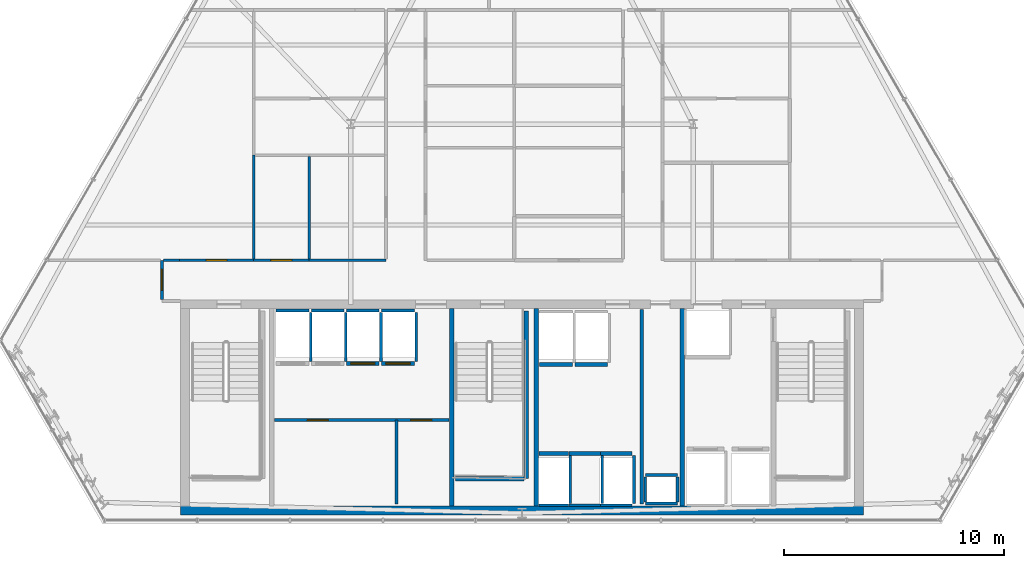
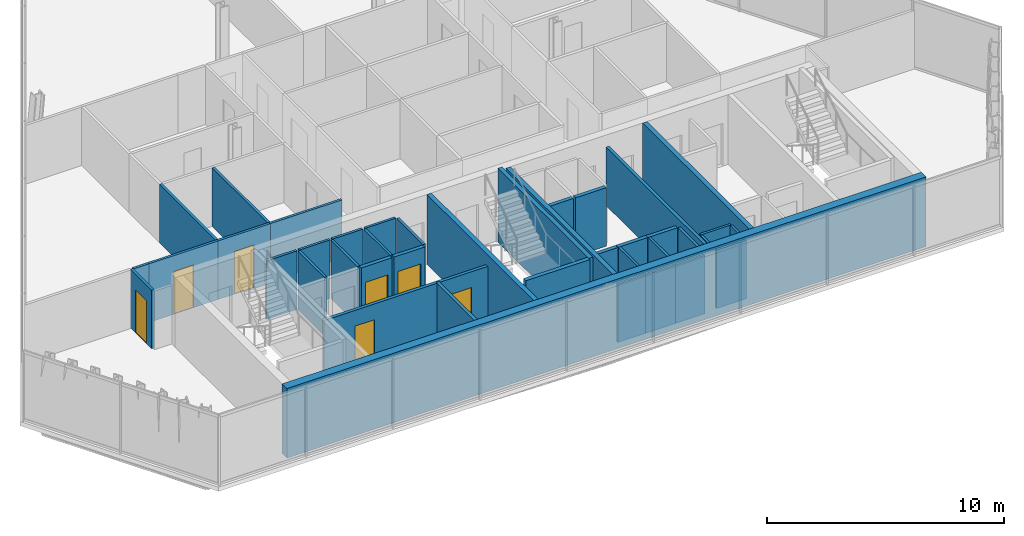
# One storey, part 27 of 33: 41 walls, 7 doors, 7 openings.
"""IFC4 building model written with IfcOpenShell, lengths in metres."""

from ifc_helpers import new_model, si_unit, direction, frame, frame_2d, origin, place, context, subcontext, project, spatial, rectangle, extrude, material, layer, layer_set, type_object, element, fill, save


model = new_model("IFC4")

# Units and contexts
model_context = context("Model", 3, precision=1e-05, world=origin(), true_north=direction((0.0, 1.0)))
body_context = subcontext(model_context, "Body", "Model", "MODEL_VIEW")
ifc_project = project(units=[si_unit("LENGTHUNIT", "METRE"), si_unit("AREAUNIT", "SQUARE_METRE"), si_unit("VOLUMEUNIT", "CUBIC_METRE"), si_unit("PLANEANGLEUNIT", "RADIAN"), si_unit("MASSUNIT", "GRAM", prefix="KILO")], contexts=[model_context])

# Site, building, storey
site_placement = place(None, origin())
site = spatial("IfcSite", under=ifc_project, at=site_placement, CompositionType="ELEMENT")
building_placement = place(site_placement, origin())
building = spatial("IfcBuilding", under=site, at=building_placement, Name="Ndaravel Arena Tower", CompositionType="ELEMENT")
storey_placement = place(building_placement, frame((0.0, 0.0, 187.800048828125)))
storey = spatial("IfcBuildingStorey", under=building, at=storey_placement, Name="L45", CompositionType="ELEMENT", Elevation=187.800048828125)

# Wall
ifc_material_1 = material(Name="Gypsum", Category="gypsum")
ifc_layer_1 = layer(ifc_material_1, 0.14990234375)
ifc_layer_set_1 = layer_set([ifc_layer_1], Name="Gypsum")
wall_type_1 = type_object("IfcWallType", Name="WALL-COMP-150", PredefinedType="PARTITIONING", material=ifc_layer_set_1)
wall_1_placement = place(storey_placement, frame((47.449951171875, 5.89990234375, 0.0), z_axis=(0.0, 0.0, 1.0), x_axis=(0.0, 1.0, 0.0)))
element("IfcWall", 1, at=wall_1_placement, inside=storey, type_object=wall_type_1, Name="L45 Core Riser Bay Partition", PredefinedType="PARTITIONING", context=body_context, shape_type="SweptSolid", body=[
    extrude(rectangle(XDim=8.85009765625, YDim=0.14990234375, at=frame_2d((4.425048828125, 0.0))), origin(), (0.0, 0.0, 1.0), 3.010498046875),
])

# Wall, openings, doors
wall_2_placement = place(storey_placement, frame((30.719970703125, 9.719970703125, 0.0), z_axis=(0.0, 0.0, 1.0), x_axis=(1.0, 0.0, 0.0)))
wall_2 = element("IfcWall", 2, at=wall_2_placement, inside=storey, type_object=wall_type_1, Name="L45 Reclaimed Shaft Partition", PredefinedType="PARTITIONING", context=body_context, shape_type="SweptSolid", body=[
    extrude(rectangle(XDim=7.9599609375, YDim=0.14990234375, at=frame_2d((3.97998046875, 0.0))), origin(), (0.0, 0.0, 1.0), 3.010498046875),
])
opening_1_placement = place(wall_2_placement, frame((1.5, 0.0, 0.0)))
opening_1 = element("IfcOpeningElement", 3, at=opening_1_placement, cuts=wall_2, Name="Opening FD-03", PredefinedType="OPENING", context=body_context, shape_type="SweptSolid", body=[
    extrude(rectangle(XDim=0.949951171875, YDim=2.199951171875, at=frame_2d((0.47509765625, 1.10009765625))), frame((0.0, 0.074951171875, 0.0), z_axis=(0.0, -1.0, 0.0), x_axis=(1.0, 0.0, 0.0)), (0.0, 0.0, 1.0), 0.14990234375),
])
opening_2_placement = place(wall_2_placement, frame((6.2099609375, 0.0, 0.0)))
opening_2 = element("IfcOpeningElement", 4, at=opening_2_placement, cuts=wall_2, Name="Opening FD-03", PredefinedType="OPENING", context=body_context, shape_type="SweptSolid", body=[
    extrude(rectangle(XDim=0.949951171875, YDim=2.199951171875, at=frame_2d((0.47509765625, 1.10009765625))), frame((0.0, 0.074951171875, 0.0), z_axis=(0.0, -1.0, 0.0), x_axis=(1.0, 0.0, 0.0)), (0.0, 0.0, 1.0), 0.14990234375),
])
ifc_material_2 = material(Name="Steel S355", Category="steel")
door_type_1 = type_object("IfcDoorType", Name="DT-11-CORE-950", OperationType="SINGLE_SWING_LEFT", PredefinedType="DOOR", material=ifc_material_2)
door_1_placement = place(opening_1_placement, origin())
door_1 = element("IfcDoor", 5, at=door_1_placement, inside=storey, type_object=door_type_1, Name="L45 ICT Server Room Door", OperationType="SINGLE_SWING_LEFT", OverallHeight=2.199951171875, OverallWidth=0.949951171875, PredefinedType="DOOR", context=body_context, shape_type="SweptSolid", body=[
    extrude(rectangle(XDim=0.949951171875, YDim=2.199951171875, at=frame_2d((0.47509765625, 1.10009765625))), frame((0.0, 0.02490234375, 0.0), z_axis=(0.0, -1.0, 0.0), x_axis=(1.0, 0.0, 0.0)), (0.0, 0.0, 1.0), 0.050048828125),
])
fill(opening_1, door_1)
door_2_placement = place(opening_2_placement, origin())
door_2 = element("IfcDoor", 6, at=door_2_placement, inside=storey, type_object=door_type_1, Name="L45 Core Archive Room Door", OperationType="SINGLE_SWING_RIGHT", OverallHeight=2.199951171875, OverallWidth=0.949951171875, PredefinedType="DOOR", context=body_context, shape_type="SweptSolid", body=[
    extrude(rectangle(XDim=0.949951171875, YDim=2.199951171875, at=frame_2d((0.47509765625, 1.10009765625))), frame((0.0, 0.02490234375, 0.0), z_axis=(0.0, -1.0, 0.0), x_axis=(1.0, 0.0, 0.0)), (0.0, 0.0, 1.0), 0.050048828125),
])
fill(opening_2, door_2)

# Walls
wall_3_placement = place(storey_placement, frame((36.280029296875, 5.89990234375, 0.0), z_axis=(0.0, 0.0, 1.0), x_axis=(0.0, 1.0, 0.0)))
element("IfcWall", 7, at=wall_3_placement, inside=storey, type_object=wall_type_1, Name="L45 Reclaimed Bay Divider", PredefinedType="PARTITIONING", context=body_context, shape_type="SweptSolid", body=[
    extrude(rectangle(XDim=3.820068359375, YDim=0.14990234375, at=frame_2d((1.91015625, 0.0))), origin(), (0.0, 0.0, 1.0), 3.010498046875),
])
ifc_material_3 = material(Name="Concrete C50/60", Category="concrete")
ifc_layer_2 = layer(ifc_material_3, 0.219970703125)
ifc_layer_set_2 = layer_set([ifc_layer_2], Name="Concrete C50/60")
wall_type_2 = type_object("IfcWallType", Name="WALL-CORE-220", PredefinedType="SOLIDWALL", material=ifc_layer_set_2)
for number, where, z_axis, x_axis, name in (
    (8, (38.800048828125, 5.800048828125, 0.0), (0.0, 0.0, 1.0), (0.0, 1.0, 0.0), "L45 Core Web Shear Wall 2"),
    (9, (42.64990234375, 5.800048828125, 0.0), (0.0, 0.0, 1.0), (0.0, 1.0, 0.0), "L45 Core Web Shear Wall 3"),
    (10, (49.300048828125, 5.800048828125, 0.0), (0.0, 0.0, 1.0), (0.0, 1.0, 0.0), "L45 Core Web Shear Wall 4"),
):
    element("IfcWall", number, at=place(storey_placement, frame(where, z_axis=z_axis, x_axis=x_axis)), inside=storey, type_object=wall_type_2, Name=name, PredefinedType="SOLIDWALL", context=body_context, shape_type="SweptSolid", body=[
        extrude(rectangle(XDim=9.0, YDim=0.219970703125, at=frame_2d((4.5, 0.0))), origin(), (0.0, 0.0, 1.0), 3.579833984375),
    ])
ifc_material_4 = material(Name="Concrete C50/60", Category="concrete")
ifc_layer_3 = layer(ifc_material_4, 0.39990234375)
ifc_layer_set_3 = layer_set([ifc_layer_3], Name="Concrete C50/60")
wall_type_3 = type_object("IfcWallType", Name="WALL-CORE-400", PredefinedType="SOLIDWALL", material=ifc_layer_set_3)
wall_4_placement = place(storey_placement, frame((26.449951171875, 5.60009765625, 0.0), z_axis=(0.0, 0.0, 1.0), x_axis=(1.0, 0.0, 0.0)))
element("IfcWall", 11, at=wall_4_placement, inside=storey, type_object=wall_type_3, Name="L45 Core South Shear Wall", PredefinedType="SOLIDWALL", context=body_context, shape_type="SweptSolid", body=[
    extrude(rectangle(XDim=31.10009765625, YDim=0.39990234375, at=frame_2d((15.550048828125, 0.0))), origin(), (0.0, 0.0, 1.0), 3.579833984375),
])

# Wall, opening, door
ifc_material_5 = material(Name="Gypsum", Category="gypsum")
ifc_layer_4 = layer(ifc_material_5, 0.125)
ifc_layer_set_4 = layer_set([ifc_layer_4], Name="Gypsum")
wall_type_4 = type_object("IfcWallType", Name="WALL-PART-125", PredefinedType="PARTITIONING", material=ifc_layer_set_4)
wall_5_placement = place(storey_placement, frame((25.60009765625, 15.215087890625, 0.0), z_axis=(0.0, 0.0, 1.0), x_axis=(0.0, 1.0, 0.0)))
wall_5 = element("IfcWall", 12, at=wall_5_placement, inside=storey, type_object=wall_type_4, Name="L45 Interior Partition 004", PredefinedType="PARTITIONING", context=body_context, shape_type="SweptSolid", body=[
    extrude(rectangle(XDim=1.784912109375, YDim=0.125, at=frame_2d((0.892578125, 0.0))), origin(), (0.0, 0.0, 1.0), 3.010498046875),
])
opening_3_placement = place(wall_5_placement, frame((0.41748046875, 0.0, 0.0)))
opening_3 = element("IfcOpeningElement", 13, at=opening_3_placement, cuts=wall_5, Name="Opening ID-01", PredefinedType="OPENING", context=body_context, shape_type="SweptSolid", body=[
    extrude(rectangle(XDim=0.949951171875, YDim=2.199951171875, at=frame_2d((0.47509765625, 1.10009765625))), frame((0.0, 0.0625, 0.0), z_axis=(0.0, -1.0, 0.0), x_axis=(1.0, 0.0, 0.0)), (0.0, 0.0, 1.0), 0.125),
])
ifc_material_6 = material(Name="Timber", Category="wood")
door_type_2 = type_object("IfcDoorType", Name="DT-03-OFFICE-950", OperationType="SINGLE_SWING_LEFT", PredefinedType="DOOR", material=ifc_material_6)
door_3_placement = place(opening_3_placement, origin())
door_3 = element("IfcDoor", 14, at=door_3_placement, inside=storey, type_object=door_type_2, Name="L45 Executive Boardroom Door", OperationType="SINGLE_SWING_RIGHT", OverallHeight=2.199951171875, OverallWidth=0.949951171875, PredefinedType="DOOR", context=body_context, shape_type="SweptSolid", body=[
    extrude(rectangle(XDim=0.949951171875, YDim=2.199951171875, at=frame_2d((0.47509765625, 1.10009765625))), frame((0.0, 0.02490234375, 0.0), z_axis=(0.0, -1.0, 0.0), x_axis=(1.0, 0.0, 0.0)), (0.0, 0.0, 1.0), 0.050048828125),
])
fill(opening_3, door_3)

# Wall
wall_6_placement = place(storey_placement, frame((25.6650390625, 17.0, 0.0), z_axis=(0.0, 0.0, 1.0), x_axis=(1.0, 0.0, 0.0)))
element("IfcWall", 15, at=wall_6_placement, inside=storey, type_object=wall_type_4, Name="L45 Interior Partition 005", PredefinedType="PARTITIONING", context=body_context, shape_type="SweptSolid", body=[
    extrude(rectangle(XDim=0.73486328125, YDim=0.125, at=frame_2d((0.367431640625, 0.0))), origin(), (0.0, 0.0, 1.0), 3.010498046875),
])

# Wall, opening, door
wall_7_placement = place(storey_placement, frame((26.39990234375, 17.0, 0.0), z_axis=(0.0, 0.0, 1.0), x_axis=(1.0, 0.0, 0.0)))
wall_7 = element("IfcWall", 16, at=wall_7_placement, inside=storey, type_object=wall_type_4, Name="L45 Interior Partition 006", PredefinedType="PARTITIONING", context=body_context, shape_type="SweptSolid", body=[
    extrude(rectangle(XDim=3.376220703125, YDim=0.125, at=frame_2d((1.68798828125, 0.0))), origin(), (0.0, 0.0, 1.0), 3.010498046875),
])
opening_4_placement = place(wall_7_placement, frame((1.213134765625, 0.0, 0.0)))
opening_4 = element("IfcOpeningElement", 17, at=opening_4_placement, cuts=wall_7, Name="Opening ID-01", PredefinedType="OPENING", context=body_context, shape_type="SweptSolid", body=[
    extrude(rectangle(XDim=0.949951171875, YDim=2.199951171875, at=frame_2d((0.47509765625, 1.10009765625))), frame((0.0, 0.0625, 0.0), z_axis=(0.0, -1.0, 0.0), x_axis=(1.0, 0.0, 0.0)), (0.0, 0.0, 1.0), 0.125),
])
door_4_placement = place(opening_4_placement, origin())
door_4 = element("IfcDoor", 18, at=door_4_placement, inside=storey, type_object=door_type_2, Name="L45 Crew Support Room 4 Door", OperationType="SINGLE_SWING_LEFT", OverallHeight=2.199951171875, OverallWidth=0.949951171875, PredefinedType="DOOR", context=body_context, shape_type="SweptSolid", body=[
    extrude(rectangle(XDim=0.949951171875, YDim=2.199951171875, at=frame_2d((0.47509765625, 1.10009765625))), frame((0.0, 0.02490234375, 0.0), z_axis=(0.0, -1.0, 0.0), x_axis=(1.0, 0.0, 0.0)), (0.0, 0.0, 1.0), 0.050048828125),
])
fill(opening_4, door_4)

wall_8_placement = place(storey_placement, frame((29.776123046875, 17.0, 0.0), z_axis=(0.0, 0.0, 1.0), x_axis=(1.0, 0.0, 0.0)))
wall_8 = element("IfcWall", 19, at=wall_8_placement, inside=storey, type_object=wall_type_4, Name="L45 Interior Partition 007", PredefinedType="PARTITIONING", context=body_context, shape_type="SweptSolid", body=[
    extrude(rectangle(XDim=2.530029296875, YDim=0.125, at=frame_2d((1.26513671875, 0.0))), origin(), (0.0, 0.0, 1.0), 3.010498046875),
])
opening_5_placement = place(wall_8_placement, frame((0.7900390625, 0.0, 0.0)))
opening_5 = element("IfcOpeningElement", 20, at=opening_5_placement, cuts=wall_8, Name="Opening ID-01", PredefinedType="OPENING", context=body_context, shape_type="SweptSolid", body=[
    extrude(rectangle(XDim=0.949951171875, YDim=2.199951171875, at=frame_2d((0.47509765625, 1.10009765625))), frame((0.0, 0.0625, 0.0), z_axis=(0.0, -1.0, 0.0), x_axis=(1.0, 0.0, 0.0)), (0.0, 0.0, 1.0), 0.125),
])
door_5_placement = place(opening_5_placement, origin())
door_5 = element("IfcDoor", 21, at=door_5_placement, inside=storey, type_object=door_type_2, Name="L45 Project Seminar Room 3 Door", OperationType="SINGLE_SWING_LEFT", OverallHeight=2.199951171875, OverallWidth=0.949951171875, PredefinedType="DOOR", context=body_context, shape_type="SweptSolid", body=[
    extrude(rectangle(XDim=0.949951171875, YDim=2.199951171875, at=frame_2d((0.47509765625, 1.10009765625))), frame((0.0, 0.02490234375, 0.0), z_axis=(0.0, -1.0, 0.0), x_axis=(1.0, 0.0, 0.0)), (0.0, 0.0, 1.0), 0.050048828125),
])
fill(opening_5, door_5)

# Walls
wall_9_placement = place(storey_placement, frame((32.30615234375, 17.0, 0.0), z_axis=(0.0, 0.0, 1.0), x_axis=(1.0, 0.0, 0.0)))
element("IfcWall", 22, at=wall_9_placement, inside=storey, type_object=wall_type_4, Name="L45 Interior Partition 008", PredefinedType="PARTITIONING", context=body_context, shape_type="SweptSolid", body=[
    extrude(rectangle(XDim=3.493896484375, YDim=0.125, at=frame_2d((1.7470703125, 0.0))), origin(), (0.0, 0.0, 1.0), 3.010498046875),
])
wall_10_placement = place(storey_placement, frame((29.776123046875, 17.06494140625, 0.0), z_axis=(0.0, 0.0, 1.0), x_axis=(0.0, 1.0, 0.0)))
element("IfcWall", 23, at=wall_10_placement, inside=storey, type_object=wall_type_4, Name="L45 Interior Partition 037", PredefinedType="PARTITIONING", context=body_context, shape_type="SweptSolid", body=[
    extrude(rectangle(XDim=4.72314453125, YDim=0.125, at=frame_2d((2.361572265625, 0.0))), origin(), (0.0, 0.0, 1.0), 3.010498046875),
])
wall_11_placement = place(storey_placement, frame((32.30615234375, 21.722900390625, 0.0), z_axis=(0.0, 0.0, 1.0), x_axis=(0.0, -1.0, 0.0)))
element("IfcWall", 24, at=wall_11_placement, inside=storey, type_object=wall_type_4, Name="L45 Interior Partition 039", PredefinedType="PARTITIONING", context=body_context, shape_type="SweptSolid", body=[
    extrude(rectangle(XDim=4.657958984375, YDim=0.125, at=frame_2d((2.3291015625, 0.0))), origin(), (0.0, 0.0, 1.0), 3.010498046875),
])
ifc_material_7 = material(Name="Concrete C40/50", Category="concrete")
ifc_layer_5 = layer(ifc_material_7, 0.1201171875)
ifc_layer_set_5 = layer_set([ifc_layer_5], Name="Concrete C40/50")
wall_type_5 = type_object("IfcWallType", Name="WALL-SHAFT-120", PredefinedType="SOLIDWALL", material=ifc_layer_set_5)
for number, where, z_axis, x_axis, name in (
    (25, (47.6201171875, 5.919921875, 0.0), (0.0, 0.0, 1.0), (1.0, 0.0, 0.0), "L45 MEP Riser Shaft S Wall"),
    (26, (47.6201171875, 7.219970703125, 0.0), (0.0, 0.0, 1.0), (1.0, 0.0, 0.0), "L45 MEP Riser Shaft N Wall"),
):
    element("IfcWall", number, at=place(storey_placement, frame(where, z_axis=z_axis, x_axis=x_axis)), inside=storey, type_object=wall_type_5, Name=name, PredefinedType="SOLIDWALL", context=body_context, shape_type="SweptSolid", body=[
        extrude(rectangle(XDim=1.4599609375, YDim=0.1201171875, at=frame_2d((0.72998046875, 0.0))), origin(), (0.0, 0.0, 1.0), 3.010498046875),
    ])
for number, where, z_axis, x_axis, name in (
    (27, (47.6201171875, 6.0, 0.0), (0.0, 0.0, 1.0), (0.0, 1.0, 0.0), "L45 MEP Riser Shaft W Wall"),
    (28, (49.080078125, 6.0, 0.0), (0.0, 0.0, 1.0), (0.0, 1.0, 0.0), "L45 MEP Riser Shaft E Wall"),
):
    element("IfcWall", number, at=place(storey_placement, frame(where, z_axis=z_axis, x_axis=x_axis)), inside=storey, type_object=wall_type_5, Name=name, PredefinedType="SOLIDWALL", context=body_context, shape_type="SweptSolid", body=[
        extrude(rectangle(XDim=1.139892578125, YDim=0.1201171875, at=frame_2d((0.56982421875, 0.0))), origin(), (0.0, 0.0, 1.0), 3.010498046875),
    ])
wall_12_placement = place(storey_placement, frame((30.804931640625, 14.7099609375, 0.0), z_axis=(0.0, 0.0, 1.0), x_axis=(1.0, 0.0, 0.0)))
element("IfcWall", 29, at=wall_12_placement, inside=storey, type_object=wall_type_5, Name="L45 PL-M1 Shaft Rear Wall", PredefinedType="SOLIDWALL", context=body_context, shape_type="SweptSolid", body=[
    extrude(rectangle(XDim=1.489990234375, YDim=0.1201171875, at=frame_2d((0.7451171875, 0.0))), origin(), (0.0, 0.0, 1.0), 3.010498046875),
])
wall_13_placement = place(storey_placement, frame((32.375, 12.389892578125, 0.0), z_axis=(0.0, 0.0, 1.0), x_axis=(0.0, 1.0, 0.0)))
element("IfcWall", 30, at=wall_13_placement, inside=storey, type_object=wall_type_5, Name="L45 PL-M1 Shaft Side R Wall", PredefinedType="SOLIDWALL", context=body_context, shape_type="SweptSolid", body=[
    extrude(rectangle(XDim=2.230224609375, YDim=0.1201171875, at=frame_2d((1.115234375, 0.0))), origin(), (0.0, 0.0, 1.0), 3.010498046875),
])
wall_14_placement = place(storey_placement, frame((32.405029296875, 14.7099609375, 0.0), z_axis=(0.0, 0.0, 1.0), x_axis=(1.0, 0.0, 0.0)))
element("IfcWall", 31, at=wall_14_placement, inside=storey, type_object=wall_type_5, Name="L45 PL-M2 Shaft Rear Wall", PredefinedType="SOLIDWALL", context=body_context, shape_type="SweptSolid", body=[
    extrude(rectangle(XDim=1.489990234375, YDim=0.1201171875, at=frame_2d((0.7451171875, 0.0))), origin(), (0.0, 0.0, 1.0), 3.010498046875),
])
wall_15_placement = place(storey_placement, frame((33.97509765625, 12.389892578125, 0.0), z_axis=(0.0, 0.0, 1.0), x_axis=(0.0, 1.0, 0.0)))
element("IfcWall", 32, at=wall_15_placement, inside=storey, type_object=wall_type_5, Name="L45 PL-M2 Shaft Side R Wall", PredefinedType="SOLIDWALL", context=body_context, shape_type="SweptSolid", body=[
    extrude(rectangle(XDim=2.230224609375, YDim=0.1201171875, at=frame_2d((1.115234375, 0.0))), origin(), (0.0, 0.0, 1.0), 3.010498046875),
])
wall_16_placement = place(storey_placement, frame((34.0048828125, 14.7099609375, 0.0), z_axis=(0.0, 0.0, 1.0), x_axis=(1.0, 0.0, 0.0)))
element("IfcWall", 33, at=wall_16_placement, inside=storey, type_object=wall_type_5, Name="L45 PL-M3 Shaft Rear Wall", PredefinedType="SOLIDWALL", context=body_context, shape_type="SweptSolid", body=[
    extrude(rectangle(XDim=1.490234375, YDim=0.1201171875, at=frame_2d((0.7451171875, 0.0))), origin(), (0.0, 0.0, 1.0), 3.010498046875),
])
wall_17_placement = place(storey_placement, frame((35.574951171875, 12.389892578125, 0.0), z_axis=(0.0, 0.0, 1.0), x_axis=(0.0, 1.0, 0.0)))
element("IfcWall", 34, at=wall_17_placement, inside=storey, type_object=wall_type_5, Name="L45 PL-M3 Shaft Side R Wall", PredefinedType="SOLIDWALL", context=body_context, shape_type="SweptSolid", body=[
    extrude(rectangle(XDim=2.230224609375, YDim=0.1201171875, at=frame_2d((1.115234375, 0.0))), origin(), (0.0, 0.0, 1.0), 3.010498046875),
])
wall_18_placement = place(storey_placement, frame((35.60498046875, 14.7099609375, 0.0), z_axis=(0.0, 0.0, 1.0), x_axis=(1.0, 0.0, 0.0)))
element("IfcWall", 35, at=wall_18_placement, inside=storey, type_object=wall_type_5, Name="L45 PL-M4 Shaft Rear Wall", PredefinedType="SOLIDWALL", context=body_context, shape_type="SweptSolid", body=[
    extrude(rectangle(XDim=1.489990234375, YDim=0.1201171875, at=frame_2d((0.7451171875, 0.0))), origin(), (0.0, 0.0, 1.0), 3.010498046875),
])
wall_19_placement = place(storey_placement, frame((37.175048828125, 12.389892578125, 0.0), z_axis=(0.0, 0.0, 1.0), x_axis=(0.0, 1.0, 0.0)))
element("IfcWall", 36, at=wall_19_placement, inside=storey, type_object=wall_type_5, Name="L45 PL-M4 Shaft Side R Wall", PredefinedType="SOLIDWALL", context=body_context, shape_type="SweptSolid", body=[
    extrude(rectangle(XDim=2.230224609375, YDim=0.1201171875, at=frame_2d((1.115234375, 0.0))), origin(), (0.0, 0.0, 1.0), 3.010498046875),
])
wall_20_placement = place(storey_placement, frame((42.780029296875, 5.840087890625, 0.0), z_axis=(0.0, 0.0, 1.0), x_axis=(1.0, 0.0, 0.0)))
element("IfcWall", 37, at=wall_20_placement, inside=storey, type_object=wall_type_5, Name="L45 PL-H1 Shaft Rear Wall", PredefinedType="SOLIDWALL", context=body_context, shape_type="SweptSolid", body=[
    extrude(rectangle(XDim=1.340087890625, YDim=0.1201171875, at=frame_2d((0.669921875, 0.0))), origin(), (0.0, 0.0, 1.0), 3.010498046875),
])
wall_21_placement = place(storey_placement, frame((44.199951171875, 5.929931640625, 0.0), z_axis=(0.0, 0.0, 1.0), x_axis=(0.0, 1.0, 0.0)))
element("IfcWall", 38, at=wall_21_placement, inside=storey, type_object=wall_type_5, Name="L45 PL-H1 Shaft Side R Wall", PredefinedType="SOLIDWALL", context=body_context, shape_type="SweptSolid", body=[
    extrude(rectangle(XDim=2.18017578125, YDim=0.1201171875, at=frame_2d((1.090087890625, 0.0))), origin(), (0.0, 0.0, 1.0), 3.010498046875),
])
wall_22_placement = place(storey_placement, frame((44.1298828125, 5.840087890625, 0.0), z_axis=(0.0, 0.0, 1.0), x_axis=(1.0, 0.0, 0.0)))
element("IfcWall", 39, at=wall_22_placement, inside=storey, type_object=wall_type_5, Name="L45 PL-H2 Shaft Rear Wall", PredefinedType="SOLIDWALL", context=body_context, shape_type="SweptSolid", body=[
    extrude(rectangle(XDim=1.440185546875, YDim=0.1201171875, at=frame_2d((0.72021484375, 0.0))), origin(), (0.0, 0.0, 1.0), 3.010498046875),
])
wall_23_placement = place(storey_placement, frame((45.64990234375, 5.929931640625, 0.0), z_axis=(0.0, 0.0, 1.0), x_axis=(0.0, 1.0, 0.0)))
element("IfcWall", 40, at=wall_23_placement, inside=storey, type_object=wall_type_5, Name="L45 PL-H2 Shaft Side R Wall", PredefinedType="SOLIDWALL", context=body_context, shape_type="SweptSolid", body=[
    extrude(rectangle(XDim=2.18017578125, YDim=0.1201171875, at=frame_2d((1.090087890625, 0.0))), origin(), (0.0, 0.0, 1.0), 3.010498046875),
])
wall_24_placement = place(storey_placement, frame((45.580078125, 5.840087890625, 0.0), z_axis=(0.0, 0.0, 1.0), x_axis=(1.0, 0.0, 0.0)))
element("IfcWall", 41, at=wall_24_placement, inside=storey, type_object=wall_type_5, Name="L45 PL-H3 Shaft Rear Wall", PredefinedType="SOLIDWALL", context=body_context, shape_type="SweptSolid", body=[
    extrude(rectangle(XDim=1.43994140625, YDim=0.1201171875, at=frame_2d((0.719970703125, 0.0))), origin(), (0.0, 0.0, 1.0), 3.010498046875),
])
wall_25_placement = place(storey_placement, frame((47.10009765625, 5.929931640625, 0.0), z_axis=(0.0, 0.0, 1.0), x_axis=(0.0, 1.0, 0.0)))
element("IfcWall", 42, at=wall_25_placement, inside=storey, type_object=wall_type_5, Name="L45 PL-H3 Shaft Side R Wall", PredefinedType="SOLIDWALL", context=body_context, shape_type="SweptSolid", body=[
    extrude(rectangle(XDim=2.18017578125, YDim=0.1201171875, at=frame_2d((1.090087890625, 0.0))), origin(), (0.0, 0.0, 1.0), 3.010498046875),
])
ifc_material_8 = material(Name="Concrete C40/50", Category="concrete")
ifc_layer_6 = layer(ifc_material_8, 0.199951171875)
ifc_layer_set_6 = layer_set([ifc_layer_6], Name="Concrete C40/50")
wall_type_6 = type_object("IfcWallType", Name="WALL-SHAFT-200", PredefinedType="SOLIDWALL", material=ifc_layer_set_6)
wall_26_placement = place(storey_placement, frame((42.18994140625, 14.699951171875, 0.0), z_axis=(0.0, 0.0, 1.0), x_axis=(0.0, -1.0, 0.0)))
element("IfcWall", 43, at=wall_26_placement, inside=storey, type_object=wall_type_6, Name="L45 ST-2 Structural Shaft Wall Right", PredefinedType="SOLIDWALL", context=body_context, shape_type="SweptSolid", body=[
    extrude(rectangle(XDim=7.64990234375, YDim=0.199951171875, at=frame_2d((3.824951171875, 0.0))), origin(), (0.0, 0.0, 1.0), 3.800048828125),
])
wall_27_placement = place(storey_placement, frame((38.969970703125, 7.050048828125, 0.0), z_axis=(0.0, 0.0, 1.0), x_axis=(1.0, 0.0, 0.0)))
element("IfcWall", 44, at=wall_27_placement, inside=storey, type_object=wall_type_6, Name="L45 ST-2 Structural Shaft Wall Far", PredefinedType="SOLIDWALL", context=body_context, shape_type="SweptSolid", body=[
    extrude(rectangle(XDim=3.114990234375, YDim=0.199951171875, at=frame_2d((1.5576171875, 0.0))), origin(), (0.0, 0.0, 1.0), 3.800048828125),
])

# Wall, opening, door
wall_28_placement = place(storey_placement, frame((34.0048828125, 12.300048828125, 0.0), z_axis=(0.0, 0.0, 1.0), x_axis=(1.0, 0.0, 0.0)))
wall_28 = element("IfcWall", 45, at=wall_28_placement, inside=storey, type_object=wall_type_6, Name="L45 PL-M3 Shaft Landing Wall", PredefinedType="SOLIDWALL", context=body_context, shape_type="SweptSolid", body=[
    extrude(rectangle(XDim=1.490234375, YDim=0.179931640625, at=frame_2d((0.7451171875, 0.0))), origin(), (0.0, 0.0, 1.0), 3.010498046875),
])
opening_6_placement = place(wall_28_placement, frame((0.195068359375, 0.0, 0.0)))
opening_6 = element("IfcOpeningElement", 46, at=opening_6_placement, cuts=wall_28, Name="Opening LD-01", PredefinedType="OPENING", context=body_context, shape_type="SweptSolid", body=[
    extrude(rectangle(XDim=1.10009765625, YDim=2.199951171875, at=frame_2d((0.550048828125, 1.10009765625))), frame((0.0, 0.08984375, 0.0), z_axis=(0.0, -1.0, 0.0), x_axis=(1.0, 0.0, 0.0)), (0.0, 0.0, 1.0), 0.179931640625),
])
ifc_material_9 = material(Name="Steel S355", Category="steel")
door_type_3 = type_object("IfcDoorType", Name="DT-06-LIFT-1100", OperationType="SLIDING_TO_LEFT", PredefinedType="DOOR", material=ifc_material_9)
door_6_placement = place(opening_6_placement, origin())
door_6 = element("IfcDoor", 47, at=door_6_placement, inside=storey, type_object=door_type_3, Name="L45 Lift PL-M3 Sliding Landing Door", OperationType="SLIDING_TO_LEFT", OverallHeight=2.199951171875, OverallWidth=1.10009765625, PredefinedType="DOOR", context=body_context, shape_type="SweptSolid", body=[
    extrude(rectangle(XDim=1.10009765625, YDim=2.199951171875, at=frame_2d((0.550048828125, 1.10009765625))), frame((0.0, 0.02490234375, 0.0), z_axis=(0.0, -1.0, 0.0), x_axis=(1.0, 0.0, 0.0)), (0.0, 0.0, 1.0), 0.050048828125),
])
fill(opening_6, door_6)

wall_29_placement = place(storey_placement, frame((35.60498046875, 12.300048828125, 0.0), z_axis=(0.0, 0.0, 1.0), x_axis=(1.0, 0.0, 0.0)))
wall_29 = element("IfcWall", 48, at=wall_29_placement, inside=storey, type_object=wall_type_6, Name="L45 PL-M4 Shaft Landing Wall", PredefinedType="SOLIDWALL", context=body_context, shape_type="SweptSolid", body=[
    extrude(rectangle(XDim=1.489990234375, YDim=0.179931640625, at=frame_2d((0.7451171875, 0.0))), origin(), (0.0, 0.0, 1.0), 3.010498046875),
])
opening_7_placement = place(wall_29_placement, frame((0.195068359375, 0.0, 0.0)))
opening_7 = element("IfcOpeningElement", 49, at=opening_7_placement, cuts=wall_29, Name="Opening LD-01", PredefinedType="OPENING", context=body_context, shape_type="SweptSolid", body=[
    extrude(rectangle(XDim=1.10009765625, YDim=2.199951171875, at=frame_2d((0.550048828125, 1.10009765625))), frame((0.0, 0.08984375, 0.0), z_axis=(0.0, -1.0, 0.0), x_axis=(1.0, 0.0, 0.0)), (0.0, 0.0, 1.0), 0.179931640625),
])
door_7_placement = place(opening_7_placement, origin())
door_7 = element("IfcDoor", 50, at=door_7_placement, inside=storey, type_object=door_type_3, Name="L45 Lift PL-M4 Sliding Landing Door", OperationType="SLIDING_TO_LEFT", OverallHeight=2.199951171875, OverallWidth=1.10009765625, PredefinedType="DOOR", context=body_context, shape_type="SweptSolid", body=[
    extrude(rectangle(XDim=1.10009765625, YDim=2.199951171875, at=frame_2d((0.550048828125, 1.10009765625))), frame((0.0, 0.02490234375, 0.0), z_axis=(0.0, -1.0, 0.0), x_axis=(1.0, 0.0, 0.0)), (0.0, 0.0, 1.0), 0.050048828125),
])
fill(opening_7, door_7)

# Walls
wall_30_placement = place(storey_placement, frame((42.780029296875, 8.199951171875, 0.0), z_axis=(0.0, 0.0, 1.0), x_axis=(1.0, 0.0, 0.0)))
element("IfcWall", 51, at=wall_30_placement, inside=storey, type_object=wall_type_6, Name="L45 PL-H1 Shaft Landing Wall", PredefinedType="SOLIDWALL", context=body_context, shape_type="SweptSolid", body=[
    extrude(rectangle(XDim=1.340087890625, YDim=0.179931640625, at=frame_2d((0.669921875, 0.0))), origin(), (0.0, 0.0, 1.0), 3.010498046875),
])
wall_31_placement = place(storey_placement, frame((44.1298828125, 8.199951171875, 0.0), z_axis=(0.0, 0.0, 1.0), x_axis=(1.0, 0.0, 0.0)))
element("IfcWall", 52, at=wall_31_placement, inside=storey, type_object=wall_type_6, Name="L45 PL-H2 Shaft Landing Wall", PredefinedType="SOLIDWALL", context=body_context, shape_type="SweptSolid", body=[
    extrude(rectangle(XDim=1.440185546875, YDim=0.179931640625, at=frame_2d((0.72021484375, 0.0))), origin(), (0.0, 0.0, 1.0), 3.010498046875),
])
wall_32_placement = place(storey_placement, frame((45.580078125, 8.199951171875, 0.0), z_axis=(0.0, 0.0, 1.0), x_axis=(1.0, 0.0, 0.0)))
element("IfcWall", 53, at=wall_32_placement, inside=storey, type_object=wall_type_6, Name="L45 PL-H3 Shaft Landing Wall", PredefinedType="SOLIDWALL", context=body_context, shape_type="SweptSolid", body=[
    extrude(rectangle(XDim=1.43994140625, YDim=0.179931640625, at=frame_2d((0.719970703125, 0.0))), origin(), (0.0, 0.0, 1.0), 3.010498046875),
])
for number, where, z_axis, x_axis, name in (
    (54, (42.804931640625, 12.25, 0.0), (0.0, 0.0, 1.0), (1.0, 0.0, 0.0), "L45 PL-OBS1 Shaft Landing Wall"),
    (55, (44.405029296875, 12.25, 0.0), (0.0, 0.0, 1.0), (1.0, 0.0, 0.0), "L45 PL-OBS2 Shaft Landing Wall"),
):
    element("IfcWall", number, at=place(storey_placement, frame(where, z_axis=z_axis, x_axis=x_axis)), inside=storey, type_object=wall_type_6, Name=name, PredefinedType="SOLIDWALL", context=body_context, shape_type="SweptSolid", body=[
        extrude(rectangle(XDim=1.489990234375, YDim=0.179931640625, at=frame_2d((0.7451171875, 0.0))), origin(), (0.0, 0.0, 1.0), 3.010498046875),
    ])

save(model, "model.ifc")
